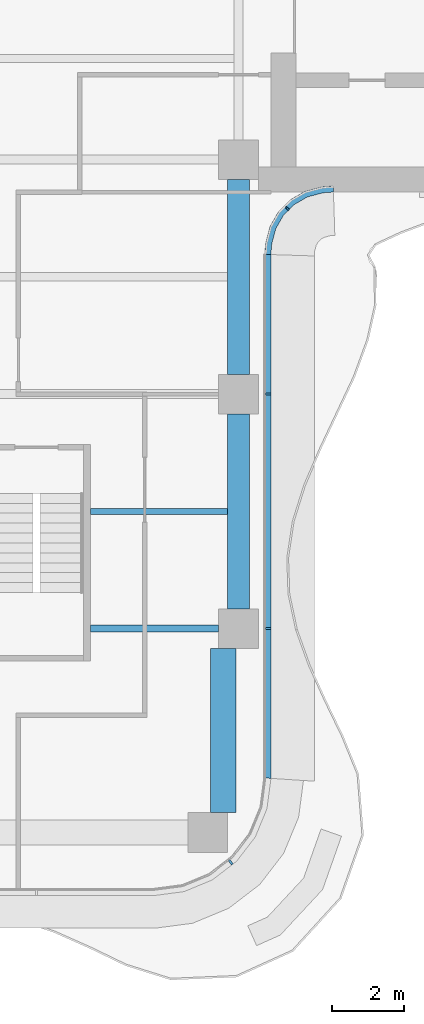
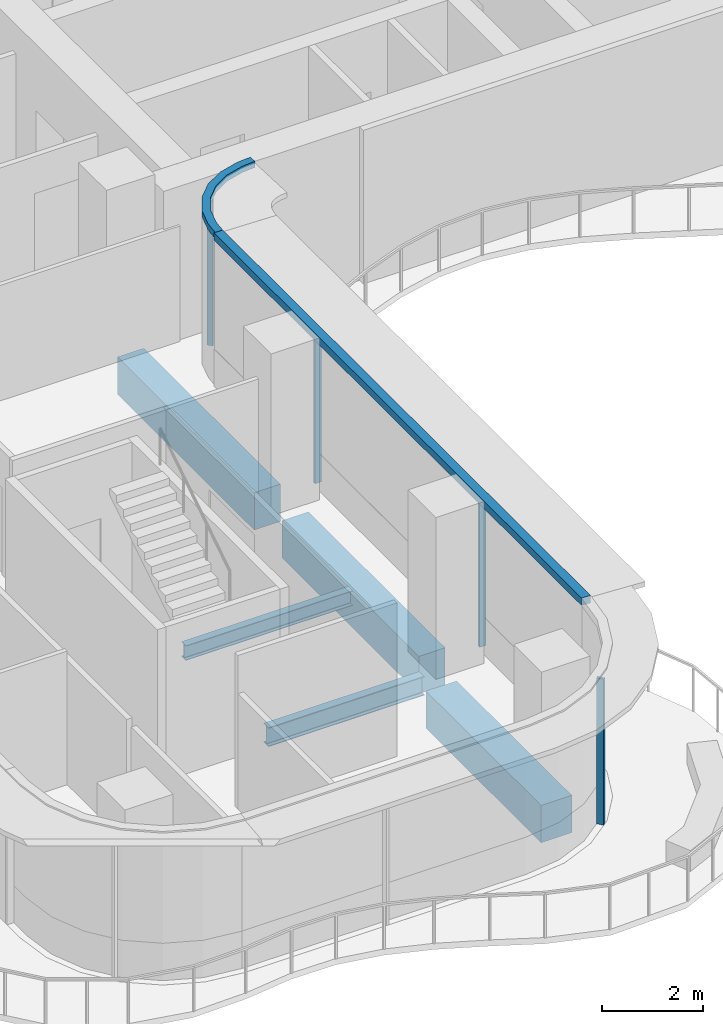
# One storey, part 5 of 17: 6 members, 5 beams, 3 elements without a shape of their own.
"""IFC4 building model written with IfcOpenShell, lengths in metres."""

import ifcopenshell
import ifcopenshell.guid

model = None  # the IFC model being written
_history = None  # IfcOwnerHistory: only IFC2X3 demands one
_inside = {}  # id of a spatial element -> (the spatial element, [elements in it])
_under = {}  # id of a project, library or spatial element -> (it, [spatial elements below it])
_declared = {}  # id of a project -> (the project, [libraries it declares])
_typed = {}  # id of a type object -> (the type object, [elements of that type])
_made_of = {}  # id of a material, layer set ... -> (it, [elements and type objects made of it])


def new_model(schema):
    """Start an empty IFC model of exactly this schema.

    Asked for "IFC4X3", IfcOpenShell would pick the latest addendum, in which some entities
    have other attributes; the version numbers below select the first issue.
    IFC2X3 requires an IfcOwnerHistory on every rooted entity: one is made here for all.
    """
    global model, _history
    if schema == "IFC4X3":
        model = ifcopenshell.file(schema_version=(4, 3, 0, 0))
    else:
        model = ifcopenshell.file(schema=schema)
    _inside.clear()
    _under.clear()
    _declared.clear()
    _typed.clear()
    _made_of.clear()
    _history = None
    if model.schema == "IFC2X3":
        org = make("IfcOrganization", Name="unknown")
        user = make(
            "IfcPersonAndOrganization",
            ThePerson=make("IfcPerson", FamilyName="unknown"),
            TheOrganization=org,
        )
        app = make(
            "IfcApplication",
            ApplicationDeveloper=org,
            Version="unknown",
            ApplicationFullName="unknown",
            ApplicationIdentifier="unknown",
        )
        _history = make(
            "IfcOwnerHistory",
            OwningUser=user,
            OwningApplication=app,
            ChangeAction="ADDED",
            CreationDate=0,
        )
    return model


def make(cls, **values):
    """One entity of the class cls with the attributes given. An attribute that is None is left unset."""
    return model.create_entity(
        cls, **{name: value for name, value in values.items() if value is not None}
    )


def rooted(cls, **values):
    """An entity with a GlobalId (a new one), such as an element, a storey or a relation."""
    return make(cls, GlobalId=ifcopenshell.guid.new(), OwnerHistory=_history, **values)


def si_unit(unit_type, name, prefix=None):
    """IfcSIUnit, for example si_unit("LENGTHUNIT", "METRE", prefix="MILLI")."""
    return make("IfcSIUnit", UnitType=unit_type, Prefix=prefix, Name=name)


def assignment(units):
    """IfcUnitAssignment: the units of a project."""
    return None if units is None else make("IfcUnitAssignment", Units=units)


def point(xyz):
    """IfcCartesianPoint."""
    return None if xyz is None else make("IfcCartesianPoint", Coordinates=xyz)


def direction(xyz):
    """IfcDirection."""
    return None if xyz is None else make("IfcDirection", DirectionRatios=xyz)


def frame(location, z_axis=None, x_axis=None):
    """IfcAxis2Placement3D, a coordinate frame: its origin and axes. An axis left out is left unset."""
    return make(
        "IfcAxis2Placement3D",
        Location=point(location),
        Axis=direction(z_axis),
        RefDirection=direction(x_axis),
    )


def frame_2d(location, x_axis=None):
    """IfcAxis2Placement2D, a coordinate frame in the plane: its origin and x axis."""
    return make(
        "IfcAxis2Placement2D", Location=point(location), RefDirection=direction(x_axis)
    )


def origin():
    """The frame at (0, 0, 0) with its axes left unset."""
    return frame((0.0, 0.0, 0.0))


def origin_2d():
    """The frame at (0, 0) in the plane with its x axis left unset."""
    return frame_2d((0.0, 0.0))


def place(relative_to, where):
    """IfcLocalPlacement: puts the frame where relative to a parent placement (None: the world)."""
    return make(
        "IfcLocalPlacement", PlacementRelTo=relative_to, RelativePlacement=where
    )


def context(
    kind, dimensions, precision=None, world=None, true_north=None, identifier=None
):
    """IfcGeometricRepresentationContext, for example the 3D "Model" context."""
    return make(
        "IfcGeometricRepresentationContext",
        ContextIdentifier=identifier,
        ContextType=kind,
        CoordinateSpaceDimension=dimensions,
        Precision=precision,
        WorldCoordinateSystem=world,
        TrueNorth=true_north,
    )


def subcontext(parent, identifier, kind, view, scale=None):
    """IfcGeometricRepresentationSubContext, for example "Body" below "Model"."""
    return make(
        "IfcGeometricRepresentationSubContext",
        ContextIdentifier=identifier,
        ContextType=kind,
        ParentContext=parent,
        TargetScale=scale,
        TargetView=view,
    )


def project(units=None, contexts=None):
    """IfcProject with its units and contexts."""
    return rooted(
        "IfcProject",
        Name="project",
        RepresentationContexts=contexts,
        UnitsInContext=assignment(units),
    )


def spatial(cls, under=None, at=None, **own):
    """A site, building, storey or space (cls), placed at a placement, below another one or the project."""
    s = rooted(cls, ObjectPlacement=at, **own)
    if under is not None:
        _under.setdefault(under.id(), (under, []))[1].append(s)
    return s


def polyline(points):
    """IfcPolyline through the points."""
    return make("IfcPolyline", Points=[point(p) for p in points])


def profile(cls, at=None, kind="AREA", **sizes):
    """A parametric profile (cls). Its sizes go by their IFC names, for example OverallWidth=200.0."""
    return make(cls, ProfileType=kind, Position=at, **sizes)


def rectangle(**sizes):
    """IfcRectangleProfileDef."""
    return profile("IfcRectangleProfileDef", **sizes)


def i_section(**sizes):
    """IfcIShapeProfileDef."""
    return profile("IfcIShapeProfileDef", **sizes)


def outline(outer, holes=None, kind="AREA"):
    """IfcArbitraryClosedProfileDef: a profile drawn as a closed curve; with holes, ...WithVoids."""
    if holes is None:
        return make("IfcArbitraryClosedProfileDef", ProfileType=kind, OuterCurve=outer)
    return make(
        "IfcArbitraryProfileDefWithVoids",
        ProfileType=kind,
        OuterCurve=outer,
        InnerCurves=holes,
    )


def extrude(swept, where, along, depth):
    """IfcExtrudedAreaSolid: the profile swept, set in the frame where, extruded along a direction by depth."""
    return make(
        "IfcExtrudedAreaSolid",
        SweptArea=swept,
        Position=where,
        ExtrudedDirection=direction(along),
        Depth=depth,
    )


def shape(context_of_items, identifier, shape_type, items):
    """IfcShapeRepresentation: the items that make up one representation, for example the "Body"."""
    return make(
        "IfcShapeRepresentation",
        ContextOfItems=context_of_items,
        RepresentationIdentifier=identifier,
        RepresentationType=shape_type,
        Items=items,
    )


def source(mapping_origin, context_of_items, identifier, shape_type, items):
    """IfcRepresentationMap: a shape defined once, which mapped items show again and again."""
    return make(
        "IfcRepresentationMap",
        MappingOrigin=mapping_origin,
        MappedRepresentation=shape(context_of_items, identifier, shape_type, items),
    )


def transform(
    local_origin,
    x_axis=None,
    y_axis=None,
    z_axis=None,
    scale=None,
    scale2=None,
    scale3=None,
    uniform=True,
):
    """IfcCartesianTransformationOperator3D, or its non-uniform kind. x_axis, y_axis, z_axis: its Axis1, 2, 3."""
    if uniform:
        return make(
            "IfcCartesianTransformationOperator3D",
            Axis1=direction(x_axis),
            Axis2=direction(y_axis),
            LocalOrigin=point(local_origin),
            Scale=scale,
            Axis3=direction(z_axis),
        )
    return make(
        "IfcCartesianTransformationOperator3DnonUniform",
        Axis1=direction(x_axis),
        Axis2=direction(y_axis),
        LocalOrigin=point(local_origin),
        Scale=scale,
        Axis3=direction(z_axis),
        Scale2=scale2,
        Scale3=scale3,
    )


def mapped(mapping_source, mapping_target):
    """IfcMappedItem: shows the shape of a source again, moved by a transform."""
    return make(
        "IfcMappedItem", MappingSource=mapping_source, MappingTarget=mapping_target
    )


def material(Name=None, Category=None):
    """IfcMaterial."""
    return make("IfcMaterial", Name=Name, Category=Category)


def layer(
    of_material, thickness, ventilated=None, Name=None, Category=None, Priority=None
):
    """IfcMaterialLayer: one layer of a wall or slab, of a material (None: an air gap)."""
    return make(
        "IfcMaterialLayer",
        Material=of_material,
        LayerThickness=thickness,
        IsVentilated=ventilated,
        Name=Name,
        Category=Category,
        Priority=Priority,
    )


def layer_set(layers, Name=None):
    """IfcMaterialLayerSet."""
    return make("IfcMaterialLayerSet", MaterialLayers=layers, LayerSetName=Name)


def material_profile(
    of_material, cross_section, Name=None, Category=None, Priority=None
):
    """IfcMaterialProfile: a cross section and its material."""
    return make(
        "IfcMaterialProfile",
        Name=Name,
        Material=of_material,
        Profile=cross_section,
        Priority=Priority,
        Category=Category,
    )


def profile_set(profiles, Name=None, composite=None):
    """IfcMaterialProfileSet."""
    return make(
        "IfcMaterialProfileSet",
        Name=Name,
        MaterialProfiles=profiles,
        CompositeProfile=composite,
    )


def made_of(thing, what):
    """Note that an element or type object is made of a material, layer set ...; save() writes the relation."""
    if what is not None:
        _made_of.setdefault(what.id(), (what, []))[1].append(thing)
    return thing


def type_object(cls, material=None, **own):
    """A type object (cls), such as IfcWallType, which elements share."""
    return made_of(rooted(cls, **own), material)


def element(
    cls,
    number,
    at=None,
    inside=None,
    cuts=None,
    type_object=None,
    material=None,
    context=None,
    identifier="Body",
    shape_type=None,
    held_by="IfcProductDefinitionShape",
    body=None,
    shapes=None,
    **own,
):
    """One element of the class cls, such as IfcWall. Its Tag is "e" and its number.

    at: its placement. inside: the storey or other place that contains it. cuts: it is an
    opening in that element (IfcRelVoidsElement). A single representation is given by context,
    identifier, shape_type and body (its items); several are given by shapes. held_by: the class
    of the entity that holds the representations. save() writes the other relations.
    """
    e = rooted(cls, Tag="e%d" % number, ObjectPlacement=at, **own)
    if body is not None:
        shapes = [shape(context, identifier, shape_type, body)]
    if shapes is not None:
        e.Representation = make(held_by, Representations=shapes)
    if inside is not None:
        _inside.setdefault(inside.id(), (inside, []))[1].append(e)
    if cuts is not None:
        rooted(
            "IfcRelVoidsElement", RelatingBuildingElement=cuts, RelatedOpeningElement=e
        )
    if type_object is not None:
        _typed.setdefault(type_object.id(), (type_object, []))[1].append(e)
    return made_of(e, material)


def aggregate(whole, parts):
    """IfcRelAggregates: a whole, such as a stair, and the parts it consists of."""
    return rooted("IfcRelAggregates", RelatingObject=whole, RelatedObjects=parts)


def save(model, path):
    """Write the relations noted so far, then the file.

    IfcRelAggregates (storeys below a building ...), IfcRelContainedInSpatialStructure (elements
    in a storey), IfcRelDefinesByType, IfcRelAssociatesMaterial and IfcRelDeclares: one each for
    every whole, place, type object, material and project.
    """
    for whole, parts in _under.values():
        aggregate(whole, parts)
    for where, things in _inside.values():
        rooted(
            "IfcRelContainedInSpatialStructure",
            RelatedElements=things,
            RelatingStructure=where,
        )
    for kind, things in _typed.values():
        rooted("IfcRelDefinesByType", RelatedObjects=things, RelatingType=kind)
    for what, things in _made_of.values():
        rooted("IfcRelAssociatesMaterial", RelatedObjects=things, RelatingMaterial=what)
    for by, libraries in _declared.values():
        rooted("IfcRelDeclares", RelatingContext=by, RelatedDefinitions=libraries)
    model.write(path)


model = new_model("IFC4")

# Units and contexts
model_context = context("Model", 3, precision=1e-05, world=origin(), true_north=direction((0.0, 1.0)))
body_context = subcontext(model_context, "Body", "Model", "MODEL_VIEW")
ifc_project = project(units=[si_unit("LENGTHUNIT", "METRE"), si_unit("AREAUNIT", "SQUARE_METRE"), si_unit("VOLUMEUNIT", "CUBIC_METRE"), si_unit("PLANEANGLEUNIT", "RADIAN"), si_unit("MASSUNIT", "GRAM", prefix="KILO")], contexts=[model_context])

# Site, building, storey
site_placement = place(None, origin())
site = spatial("IfcSite", under=ifc_project, at=site_placement, CompositionType="ELEMENT")
building_placement = place(site_placement, origin())
building = spatial("IfcBuilding", under=site, at=building_placement, Name="Trellis Farm Tower", CompositionType="ELEMENT")
storey_placement = place(building_placement, frame((0.0, 0.0, 240.199951171875)))
storey = spatial("IfcBuildingStorey", under=building, at=storey_placement, Name="L53", CompositionType="ELEMENT", Elevation=240.199951171875)

# Beams
ifc_material_1 = material(Name="Steel S355", Category="steel")
ifc_material_profile_1 = material_profile(ifc_material_1, i_section(OverallWidth=0.17138671875, OverallDepth=0.35498046875, WebThickness=0.00732421875, FlangeThickness=0.011474609375, FilletRadius=0.01025390625, at=origin_2d()), Name="UB 356x171x51")
ifc_profile_set_1 = profile_set([ifc_material_profile_1], Name="Steel S355")
beam_type_1 = type_object("IfcBeamType", Name="UB 356x171x51 joist", PredefinedType="JOIST", material=ifc_profile_set_1)
shared_shape_1 = source(origin(), body_context, "Body", "SweptSolid", [
    extrude(i_section(OverallWidth=0.17138671875, OverallDepth=0.35498046875, WebThickness=0.00732421875, FlangeThickness=0.011474609375, FilletRadius=0.01025390625, at=origin_2d()), origin(), (0.0, 0.0, 1.0), 3.800048828125),
])
beam_1_placement = place(storey_placement, frame((1.5, -15.35009765625, -0.37744140625), z_axis=(1.0, 0.0, 0.0), x_axis=(0.0, 1.0, 0.0)))
element("IfcBeam", 1, at=beam_1_placement, inside=storey, type_object=beam_type_1, Name="Floor beam", PredefinedType="JOIST", context=body_context, shape_type="MappedRepresentation", body=[
    mapped(shared_shape_1, transform((0.0, 0.0, 0.0))),
])
ifc_material_profile_2 = material_profile(ifc_material_1, i_section(OverallWidth=0.1904296875, OverallDepth=0.45703125, WebThickness=0.009033203125, FlangeThickness=0.014404296875, FilletRadius=0.01025390625, at=origin_2d()), Name="UB 457x191x74")
ifc_profile_set_2 = profile_set([ifc_material_profile_2], Name="Steel S355")
beam_type_2 = type_object("IfcBeamType", Name="UB 457x191x74", PredefinedType="BEAM", material=ifc_profile_set_2)
shared_shape_2 = source(origin(), body_context, "Body", "SweptSolid", [
    extrude(i_section(OverallWidth=0.1904296875, OverallDepth=0.45703125, WebThickness=0.009033203125, FlangeThickness=0.014404296875, FilletRadius=0.01025390625, at=origin_2d()), origin(), (0.0, 0.0, 1.0), 3.550048828125),
])
beam_2_placement = place(storey_placement, frame((1.5, -18.60009765625, -0.428466796875), z_axis=(1.0, 0.0, 0.0), x_axis=(0.0, 1.0, 0.0)))
element("IfcBeam", 2, at=beam_2_placement, inside=storey, type_object=beam_type_2, Name="Girder", PredefinedType="BEAM", context=body_context, shape_type="MappedRepresentation", body=[
    mapped(shared_shape_2, transform((0.0, 0.0, 0.0))),
])
ifc_material_2 = material(Name="Concrete C60/75", Category="concrete")
ifc_material_profile_3 = material_profile(ifc_material_2, rectangle(XDim=0.60009765625, YDim=0.89990234375, at=origin_2d()), Name="RC spandrel beam 600x900 C60/75")
ifc_profile_set_3 = profile_set([ifc_material_profile_3], Name="Concrete C60/75")
beam_type_3 = type_object("IfcBeamType", Name="RC spandrel beam 600x900 C60/75", PredefinedType="SPANDREL", material=ifc_profile_set_3)
shared_shape_3 = source(origin(), body_context, "Body", "SweptSolid", [
    extrude(rectangle(XDim=0.60009765625, YDim=0.89990234375, at=origin_2d()), origin(), (0.0, 0.0, 1.0), 5.400146484375),
])
for number, where, z_axis, x_axis, name in (
    (3, (5.60009765625, -18.050048828125, -0.64990234375), (0.0, 1.0, 0.0), (-1.0, 0.0, 0.0), "Girder"),
    (4, (5.60009765625, -11.550048828125, -0.64990234375), (0.0, 1.0, 0.0), (-1.0, 0.0, 0.0), "Girder"),
):
    element("IfcBeam", number, at=place(storey_placement, frame(where, z_axis=z_axis, x_axis=x_axis)), inside=storey, type_object=beam_type_3, Name=name, PredefinedType="SPANDREL", context=body_context, shape_type="MappedRepresentation", body=[
        mapped(shared_shape_3, transform((0.0, 0.0, 0.0))),
    ])
ifc_material_profile_4 = material_profile(ifc_material_2, rectangle(XDim=0.699951171875, YDim=0.89990234375, at=origin_2d()), Name="RC spandrel beam 700x900 C60/75")
ifc_profile_set_4 = profile_set([ifc_material_profile_4], Name="Concrete C60/75")
beam_type_4 = type_object("IfcBeamType", Name="RC spandrel beam 700x900 C60/75", PredefinedType="SPANDREL", material=ifc_profile_set_4)
shared_shape_4 = source(origin(), body_context, "Body", "SweptSolid", [
    extrude(rectangle(XDim=0.699951171875, YDim=0.89990234375, at=origin_2d()), origin(), (0.0, 0.0, 1.0), 4.550048828125),
])
beam_3_placement = place(storey_placement, frame((5.175048828125, -23.699951171875, -0.64990234375), z_axis=(0.0, 1.0, 0.0), x_axis=(-1.0, 0.0, 0.0)))
element("IfcBeam", 5, at=beam_3_placement, inside=storey, type_object=beam_type_4, Name="Girder", PredefinedType="SPANDREL", context=body_context, shape_type="MappedRepresentation", body=[
    mapped(shared_shape_4, transform((0.0, 0.0, 0.0))),
])

# Curtain wall, member
ifc_material_3 = material(Name="Aluminium and glass curtain wall", Category="aluminium")
ifc_layer_1 = layer(ifc_material_3, 0.166015625)
ifc_layer_set_1 = layer_set([ifc_layer_1], Name="WINTER GARDEN CURTAIN WALL CW3")
curtain_wall_type_1 = type_object("IfcCurtainWallType", Name="WINTER GARDEN CURTAIN WALL CW3", PredefinedType="NOTDEFINED", material=ifc_layer_set_1)
placement = place(storey_placement, origin())
curtain_wall_1 = element("IfcCurtainWall", 6, at=placement, inside=storey, type_object=curtain_wall_type_1, Name="CW3 002", PredefinedType="NOTDEFINED")
ifc_material_4 = material(Name="Aluminium extrusion 6063-T6", Category="aluminium")
ifc_layer_2 = layer(ifc_material_4, 0.169921875)
ifc_layer_set_2 = layer_set([ifc_layer_2], Name="Aluminium extrusion 6063-T6")
member_type_1 = type_object("IfcMemberType", Name="CW3 TRANSOM 170x150", PredefinedType="USERDEFINED", material=ifc_layer_set_2)
shared_shape_5 = source(origin(), body_context, "Body", "SweptSolid", [
    extrude(outline(polyline([(6.5, -8.2314453125), (6.513916015625, -8.01953125), (6.527587890625, -7.91552734375), (6.63671875, -7.508544921875), (6.846923828125, -7.144287109375), (7.144287109375, -6.846923828125), (7.508544921875, -6.63671875), (7.91552734375, -6.527587890625), (8.01953125, -6.513916015625), (8.2314453125, -6.5), (8.225830078125, -6.330078125), (8.0029296875, -6.3447265625), (7.88232421875, -6.360595703125), (7.44287109375, -6.478271484375), (7.0400390625, -6.7109375), (6.7109375, -7.0400390625), (6.478271484375, -7.44287109375), (6.360595703125, -7.88232421875), (6.3447265625, -8.0029296875), (6.330078125, -8.225830078125), (6.5, -8.2314453125)])), origin(), (0.0, 0.0, 1.0), 0.14990234375),
])
member_1_placement = place(storey_placement, frame((0.0, 0.0, 3.550048828125)))
member_1 = element("IfcMember", 7, at=member_1_placement, type_object=member_type_1, Name="TR3 002", ObjectType="TRANSOM", PredefinedType="USERDEFINED", context=body_context, shape_type="MappedRepresentation", body=[
    mapped(shared_shape_5, transform((0.0, 0.0, 0.0))),
])

ifc_layer_3 = layer(ifc_material_3, 0.18994140625)
ifc_layer_set_3 = layer_set([ifc_layer_3], Name="RIBBON CURTAIN WALL CW1")
curtain_wall_type_2 = type_object("IfcCurtainWallType", Name="RIBBON CURTAIN WALL CW1", PredefinedType="NOTDEFINED", material=ifc_layer_set_3)
curtain_wall_2 = element("IfcCurtainWall", 8, at=placement, inside=storey, type_object=curtain_wall_type_2, Name="CW1 005", PredefinedType="NOTDEFINED")
ifc_layer_4 = layer(ifc_material_4, 0.199951171875)
ifc_layer_set_4 = layer_set([ifc_layer_4], Name="Aluminium extrusion 6063-T6")
member_type_2 = type_object("IfcMemberType", Name="CW1 TRANSOM 200x180", PredefinedType="USERDEFINED", material=ifc_layer_set_4)
shared_shape_6 = source(origin(), body_context, "Body", "SweptSolid", [
    extrude(outline(polyline([(6.5, -22.75), (6.5, -8.2314453125), (6.300048828125, -8.224853515625), (6.300048828125, -22.73681640625), (6.5, -22.75)])), origin(), (0.0, 0.0, 1.0), 0.179931640625),
])
member_2_placement = place(storey_placement, frame((0.0, 0.0, 3.52001953125)))
member_2 = element("IfcMember", 9, at=member_2_placement, type_object=member_type_2, Name="TR1 005", ObjectType="TRANSOM", PredefinedType="USERDEFINED", context=body_context, shape_type="MappedRepresentation", body=[
    mapped(shared_shape_6, transform((0.0, 0.0, 0.0))),
])

curtain_wall_3 = element("IfcCurtainWall", 10, at=placement, inside=storey, type_object=curtain_wall_type_2, Name="CW1 004", PredefinedType="NOTDEFINED")
ifc_material_profile_5 = material_profile(ifc_material_4, rectangle(XDim=0.06005859375, YDim=0.14990234375, at=origin_2d()), Name="MULLION 60x150")
ifc_profile_set_5 = profile_set([ifc_material_profile_5], Name="Aluminium extrusion 6063-T6")
member_type_3 = type_object("IfcMemberType", Name="CW1 MULLION 60x150", PredefinedType="MULLION", material=ifc_profile_set_5)
shared_shape_7 = source(origin(), body_context, "Body", "SweptSolid", [
    extrude(rectangle(XDim=0.06005859375, YDim=0.14990234375, at=origin_2d()), origin(), (0.0, 0.0, 1.0), 3.52001953125),
])
member_3_placement = place(storey_placement, frame((5.385498046875, -25.078369140625, 0.0), z_axis=(0.0, 0.0, 1.0), x_axis=(0.793353340291, 0.608761429009, 0.0)))
member_3 = element("IfcMember", 11, at=member_3_placement, type_object=member_type_3, Name="MU1 004-02", PredefinedType="MULLION", context=body_context, shape_type="MappedRepresentation", body=[
    mapped(shared_shape_7, transform((0.0, 0.0, 0.0))),
])
aggregate(curtain_wall_3, [member_3])

# Member
member_4_placement = place(storey_placement, frame((6.425048828125, -18.60009765625, 0.0), z_axis=(0.0, 0.0, 1.0), x_axis=(0.0, 1.0, 0.0)))
member_4 = element("IfcMember", 12, at=member_4_placement, type_object=member_type_3, Name="MU1 005-01", PredefinedType="MULLION", context=body_context, shape_type="MappedRepresentation", body=[
    mapped(shared_shape_7, transform((0.0, 0.0, 0.0))),
])

member_5_placement = place(storey_placement, frame((6.425048828125, -12.10009765625, 0.0), z_axis=(0.0, 0.0, 1.0), x_axis=(0.0, 1.0, 0.0)))
member_5 = element("IfcMember", 13, at=member_5_placement, type_object=member_type_3, Name="MU1 005-02", PredefinedType="MULLION", context=body_context, shape_type="MappedRepresentation", body=[
    mapped(shared_shape_7, transform((0.0, 0.0, 0.0))),
])

aggregate(curtain_wall_2, [member_4, member_5, member_2])

ifc_material_profile_6 = material_profile(ifc_material_4, rectangle(XDim=0.050048828125, YDim=0.1201171875, at=origin_2d()), Name="MULLION 50x120")
ifc_profile_set_6 = profile_set([ifc_material_profile_6], Name="Aluminium extrusion 6063-T6")
member_type_4 = type_object("IfcMemberType", Name="CW3 MULLION 50x120", PredefinedType="MULLION", material=ifc_profile_set_6)
shared_shape_8 = source(origin(), body_context, "Body", "SweptSolid", [
    extrude(rectangle(XDim=0.050048828125, YDim=0.1201171875, at=origin_2d()), origin(), (0.0, 0.0, 1.0), 3.550048828125),
])
member_6_placement = place(storey_placement, frame((6.953125, -6.953125, 0.0), z_axis=(0.0, 0.0, 1.0), x_axis=(0.707106781187, 0.707106781187, 0.0)))
member_6 = element("IfcMember", 14, at=member_6_placement, type_object=member_type_4, Name="MU3 002-01", PredefinedType="MULLION", context=body_context, shape_type="MappedRepresentation", body=[
    mapped(shared_shape_8, transform((0.0, 0.0, 0.0))),
])

aggregate(curtain_wall_1, [member_6, member_1])

save(model, "model.ifc")
